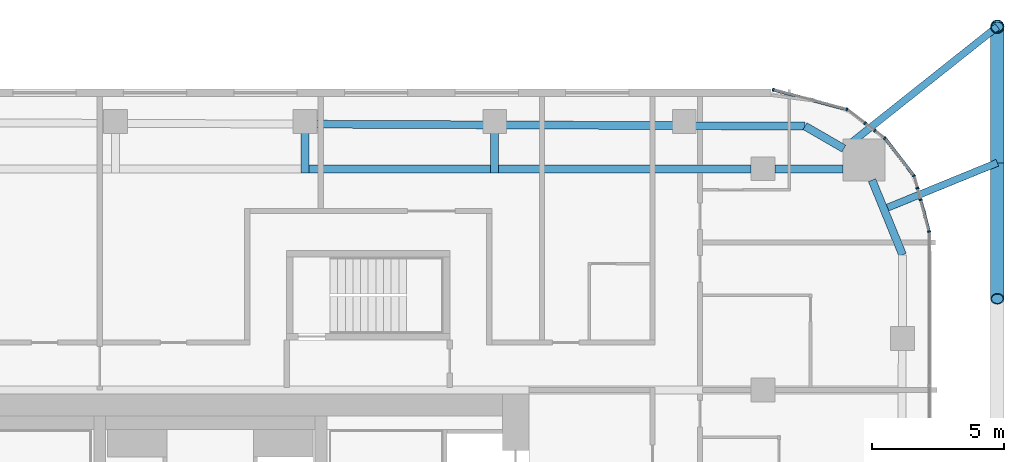
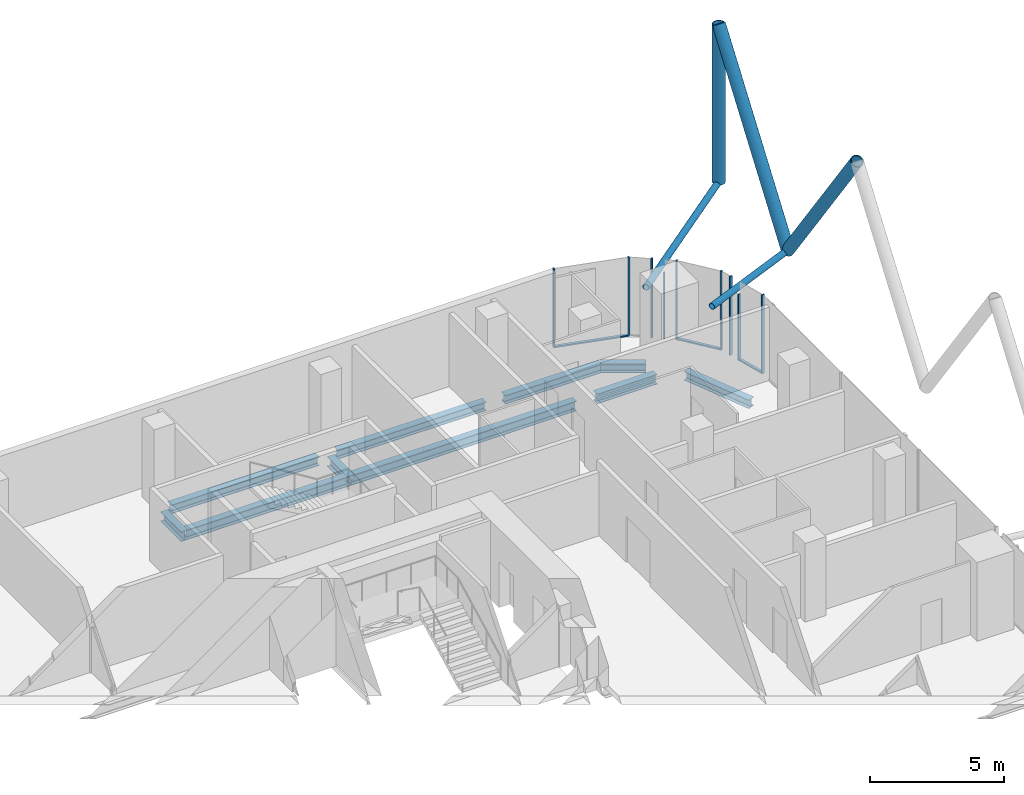
# One storey, part 14 of 36: 17 members, 10 beams, 8 elements without a shape of their own.
"""IFC4 building model written with IfcOpenShell, lengths in metres."""

from ifc_helpers import new_model, si_unit, direction, frame, origin, origin_2d, place, context, subcontext, project, spatial, rectangle, hollow_circle, i_section, extrude, material, layer, layer_set, material_profile, profile_set, type_object, element, aggregate, save


model = new_model("IFC4")

# Units and contexts
model_context = context("Model", 3, precision=1e-05, world=origin(), true_north=direction((0.0, 1.0)))
body_context = subcontext(model_context, "Body", "Model", "MODEL_VIEW")
ifc_project = project(units=[si_unit("LENGTHUNIT", "METRE"), si_unit("AREAUNIT", "SQUARE_METRE"), si_unit("VOLUMEUNIT", "CUBIC_METRE"), si_unit("PLANEANGLEUNIT", "RADIAN"), si_unit("MASSUNIT", "GRAM", prefix="KILO")], contexts=[model_context])

# Site, building, storey
site_placement = place(None, origin())
site = spatial("IfcSite", under=ifc_project, at=site_placement, CompositionType="ELEMENT")
building_placement = place(site_placement, origin())
building = spatial("IfcBuilding", under=site, at=building_placement, Name="Marenta Gate Hotel Tower", CompositionType="ELEMENT")
storey_placement = place(building_placement, frame((0.0, 0.0, 158.89990234375)))
storey = spatial("IfcBuildingStorey", under=building, at=storey_placement, Name="L37", CompositionType="ELEMENT", Elevation=158.89990234375)

# Members
ifc_material_1 = material(Name="Steel S355J2W", Category="steel")
ifc_material_profile_1 = material_profile(ifc_material_1, hollow_circle(Radius=0.25390625, WallThickness=0.02490234375, at=origin_2d()), Name="CHS 508x25")
ifc_profile_set_1 = profile_set([ifc_material_profile_1], Name="Steel S355J2W")
member_type_1 = type_object("IfcMemberType", Name="Diagrid corner post Z2 CHS 508x25", PredefinedType="POST", material=ifc_profile_set_1)
member_1_placement = place(storey_placement, frame((29.89990234375, 30.60009765625, 3.14013671875), z_axis=(0.0, 0.0, 1.0), x_axis=(1.0, 0.0, 0.0)))
element("IfcMember", 1, at=member_1_placement, inside=storey, type_object=member_type_1, Name="L37-DR-1", PredefinedType="POST", context=body_context, shape_type="SweptSolid", body=[
    extrude(hollow_circle(Radius=0.25390625, WallThickness=0.02490234375, at=origin_2d()), origin(), (0.0, 0.0, 1.0), 7.199951171875),
])
ifc_material_2 = material(Name="Steel S355J2W", Category="steel")
ifc_material_profile_2 = material_profile(ifc_material_2, hollow_circle(Radius=0.25390625, WallThickness=0.0400390625, at=origin_2d()), Name="CHS 508x40")
ifc_profile_set_2 = profile_set([ifc_material_profile_2], Name="Steel S355J2W")
member_type_2 = type_object("IfcMemberType", Name="Diagrid diagonal Z2 CHS 508x40", PredefinedType="BRACE", material=ifc_profile_set_2)
member_2_placement = place(storey_placement, frame((29.89990234375, 25.429931640625, 3.14013671875), z_axis=(0.0, 0.583279014058, 0.812271870595), x_axis=(-1.0, 0.0, 0.0)))
element("IfcMember", 2, at=member_2_placement, inside=storey, type_object=member_type_2, Name="L37-DG-1", PredefinedType="BRACE", context=body_context, shape_type="SweptSolid", body=[
    extrude(hollow_circle(Radius=0.25390625, WallThickness=0.0400390625, at=origin_2d()), origin(), (0.0, 0.0, 1.0), 8.864013671875),
])
member_3_placement = place(storey_placement, frame((29.89990234375, 25.429931640625, 3.14013671875), z_axis=(0.0, -0.583260841117, 0.812284919975), x_axis=(1.0, 0.0, 0.0)))
element("IfcMember", 3, at=member_3_placement, inside=storey, type_object=member_type_2, Name="L37-DG-2", PredefinedType="BRACE", context=body_context, shape_type="SweptSolid", body=[
    extrude(hollow_circle(Radius=0.25390625, WallThickness=0.0400390625, at=origin_2d()), origin(), (0.0, 0.0, 1.0), 8.86376953125),
])

# Beams
ifc_material_3 = material(Name="Steel S355", Category="steel")
ifc_material_profile_3 = material_profile(ifc_material_3, i_section(OverallWidth=0.300048828125, OverallDepth=0.39990234375, WebThickness=0.013427734375, FlangeThickness=0.02392578125, FilletRadius=0.027099609375, at=origin_2d()), Name="HEB 400")
ifc_profile_set_3 = profile_set([ifc_material_profile_3], Name="Steel S355")
beam_type_1 = type_object("IfcBeamType", Name="Edge beam HEB 400", PredefinedType="SPANDREL", material=ifc_profile_set_3)
beam_1_placement = place(storey_placement, frame((4.011474609375, 26.89697265625, -0.4599609375), z_axis=(0.999991780119, -0.004054589324, 0.0), x_axis=(0.004054589324, 0.999991780119, 0.0)))
element("IfcBeam", 4, at=beam_1_placement, inside=storey, type_object=beam_type_1, Name="L37-EB-17", PredefinedType="SPANDREL", context=body_context, shape_type="SweptSolid", body=[
    extrude(i_section(OverallWidth=0.300048828125, OverallDepth=0.39990234375, WebThickness=0.013427734375, FlangeThickness=0.02392578125, FilletRadius=0.027099609375, at=origin_2d()), origin(), (0.0, 0.0, 1.0), 6.382568359375),
])
beam_2_placement = place(storey_placement, frame((11.214111328125, 26.86767578125, -0.4599609375), z_axis=(0.999991780748, -0.00405443424, 0.0), x_axis=(0.00405443424, 0.999991780748, 0.0)))
element("IfcBeam", 5, at=beam_2_placement, inside=storey, type_object=beam_type_1, Name="L37-EB-18", PredefinedType="SPANDREL", context=body_context, shape_type="SweptSolid", body=[
    extrude(i_section(OverallWidth=0.300048828125, OverallDepth=0.39990234375, WebThickness=0.013427734375, FlangeThickness=0.02392578125, FilletRadius=0.027099609375, at=origin_2d()), origin(), (0.0, 0.0, 1.0), 6.3828125),
])
beam_3_placement = place(storey_placement, frame((18.4169921875, 26.83837890625, -0.4599609375), z_axis=(0.999991621459, -0.004093532953, 0.0), x_axis=(0.004093532953, 0.999991621459, 0.0)))
element("IfcBeam", 6, at=beam_3_placement, inside=storey, type_object=beam_type_1, Name="L37-EB-19", PredefinedType="SPANDREL", context=body_context, shape_type="SweptSolid", body=[
    extrude(i_section(OverallWidth=0.300048828125, OverallDepth=0.39990234375, WebThickness=0.013427734375, FlangeThickness=0.02392578125, FilletRadius=0.027099609375, at=origin_2d()), origin(), (0.0, 0.0, 1.0), 4.1748046875),
])
beam_4_placement = place(storey_placement, frame((22.591796875, 26.8212890625, -0.4599609375), z_axis=(0.866016478054, -0.500015459501, 0.0), x_axis=(0.500015459501, 0.866016478054, 0.0)))
element("IfcBeam", 7, at=beam_4_placement, inside=storey, type_object=beam_type_1, Name="L37-EB-20", PredefinedType="SPANDREL", context=body_context, shape_type="SweptSolid", body=[
    extrude(i_section(OverallWidth=0.300048828125, OverallDepth=0.39990234375, WebThickness=0.013427734375, FlangeThickness=0.02392578125, FilletRadius=0.027099609375, at=origin_2d()), origin(), (0.0, 0.0, 1.0), 1.70703125),
])
beam_5_placement = place(storey_placement, frame((25.138916015625, 24.7724609375, -0.4599609375), z_axis=(0.378682450416, -0.925526661824, 0.0), x_axis=(0.925526661824, 0.378682450416, 0.0)))
element("IfcBeam", 8, at=beam_5_placement, inside=storey, type_object=beam_type_1, Name="L37-EB-21", PredefinedType="SPANDREL", context=body_context, shape_type="SweptSolid", body=[
    extrude(i_section(OverallWidth=0.300048828125, OverallDepth=0.39990234375, WebThickness=0.013427734375, FlangeThickness=0.02392578125, FilletRadius=0.027099609375, at=origin_2d()), origin(), (0.0, 0.0, 1.0), 3.066162109375),
])

# Members
ifc_material_4 = material(Name="Steel S355J2W", Category="steel")
ifc_material_profile_4 = material_profile(ifc_material_4, hollow_circle(Radius=0.136474609375, WallThickness=0.012451171875, at=origin_2d()), Name="CHS 273x12.5")
ifc_profile_set_4 = profile_set([ifc_material_profile_4], Name="Steel S355J2W")
member_type_3 = type_object("IfcMemberType", Name="Floor tie CHS 273x12.5", PredefinedType="STRUT", material=ifc_profile_set_4)
member_4_placement = place(storey_placement, frame((29.89990234375, 30.60009765625, 3.14013671875), z_axis=(-0.782942525187, -0.622094046149, 0.0), x_axis=(0.622094046149, -0.782942525187, 0.0)))
element("IfcMember", 9, at=member_4_placement, inside=storey, type_object=member_type_3, Name="L37-DR-7", PredefinedType="STRUT", context=body_context, shape_type="SweptSolid", body=[
    extrude(hollow_circle(Radius=0.136474609375, WallThickness=0.012451171875, at=origin_2d()), origin(), (0.0, 0.0, 1.0), 7.43896484375),
])
member_5_placement = place(storey_placement, frame((29.89990234375, 25.429931640625, 3.14013671875), z_axis=(-0.925554485394, -0.378614440516, 0.0), x_axis=(0.378614440516, -0.925554485394, 0.0)))
element("IfcMember", 10, at=member_5_placement, inside=storey, type_object=member_type_3, Name="L37-DR-8", PredefinedType="STRUT", context=body_context, shape_type="SweptSolid", body=[
    extrude(hollow_circle(Radius=0.136474609375, WallThickness=0.012451171875, at=origin_2d()), origin(), (0.0, 0.0, 1.0), 4.6484375),
])

# Beams
ifc_material_5 = material(Name="Steel S355", Category="steel")
ifc_material_profile_5 = material_profile(ifc_material_5, i_section(OverallWidth=0.300048828125, OverallDepth=0.449951171875, WebThickness=0.013916015625, FlangeThickness=0.02587890625, FilletRadius=0.027099609375, at=origin_2d()), Name="HEB 450")
ifc_profile_set_5 = profile_set([ifc_material_profile_5], Name="Steel S355")
beam_type_2 = type_object("IfcBeamType", Name="Girder HEB 450", PredefinedType="BEAM", material=ifc_profile_set_5)
beam_6_placement = place(storey_placement, frame((3.75146484375, 25.199951171875, -0.48486328125), z_axis=(1.0, 0.0, 0.0), x_axis=(0.0, 1.0, 0.0)))
element("IfcBeam", 11, at=beam_6_placement, inside=storey, type_object=beam_type_2, Name="L37-GD-33", PredefinedType="BEAM", context=body_context, shape_type="SweptSolid", body=[
    extrude(i_section(OverallWidth=0.300048828125, OverallDepth=0.449951171875, WebThickness=0.013916015625, FlangeThickness=0.02587890625, FilletRadius=0.027099609375, at=origin_2d()), origin(), (0.0, 0.0, 1.0), 6.902587890625),
])
beam_7_placement = place(storey_placement, frame((10.9541015625, 25.199951171875, -0.48486328125), z_axis=(1.0, 0.0, 0.0), x_axis=(0.0, 1.0, 0.0)))
element("IfcBeam", 12, at=beam_7_placement, inside=storey, type_object=beam_type_2, Name="L37-GD-34", PredefinedType="BEAM", context=body_context, shape_type="SweptSolid", body=[
    extrude(i_section(OverallWidth=0.300048828125, OverallDepth=0.449951171875, WebThickness=0.013916015625, FlangeThickness=0.02587890625, FilletRadius=0.027099609375, at=origin_2d()), origin(), (0.0, 0.0, 1.0), 9.595947265625),
])
beam_8_placement = place(storey_placement, frame((21.449951171875, 25.199951171875, -0.48486328125), z_axis=(1.0, 0.0, 0.0), x_axis=(0.0, 1.0, 0.0)))
element("IfcBeam", 13, at=beam_8_placement, inside=storey, type_object=beam_type_2, Name="L37-GD-35", PredefinedType="BEAM", context=body_context, shape_type="SweptSolid", body=[
    extrude(i_section(OverallWidth=0.300048828125, OverallDepth=0.449951171875, WebThickness=0.013916015625, FlangeThickness=0.02587890625, FilletRadius=0.027099609375, at=origin_2d()), origin(), (0.0, 0.0, 1.0), 2.58544921875),
])
ifc_material_6 = material(Name="Steel S355", Category="steel")
ifc_material_profile_6 = material_profile(ifc_material_6, i_section(OverallWidth=0.300048828125, OverallDepth=0.449951171875, WebThickness=0.013916015625, FlangeThickness=0.02587890625, FilletRadius=0.027099609375, at=origin_2d()), Name="HEB 450")
ifc_profile_set_6 = profile_set([ifc_material_profile_6], Name="Steel S355")
beam_type_3 = type_object("IfcBeamType", Name="Girder bracket HEB 450", PredefinedType="BEAM", material=ifc_profile_set_6)
for number, where, z_axis, x_axis, name in (
    (14, (3.601318359375, 25.050048828125, -0.48486328125), (0.0, 1.0, 0.0), (-1.0, 0.0, 0.0), "L37-GS-3"),
    (15, (10.80419921875, 25.050048828125, -0.48486328125), (0.0, 1.0, 0.0), (-1.0, 0.0, 0.0), "L37-GS-4"),
):
    element("IfcBeam", number, at=place(storey_placement, frame(where, z_axis=z_axis, x_axis=x_axis)), inside=storey, type_object=beam_type_3, Name=name, PredefinedType="BEAM", context=body_context, shape_type="SweptSolid", body=[
        extrude(i_section(OverallWidth=0.300048828125, OverallDepth=0.449951171875, WebThickness=0.013916015625, FlangeThickness=0.02587890625, FilletRadius=0.027099609375, at=origin_2d()), origin(), (0.0, 0.0, 1.0), 1.5400390625),
    ])

# Curtain wall, member
ifc_material_7 = material(Name="Tinted insulated glass in bronze anodised frame", Category="glass")
ifc_layer = layer(ifc_material_7, 0.1201171875)
ifc_layer_set = layer_set([ifc_layer], Name="Tinted insulated glass in bronze anodised frame")
curtain_wall_type = type_object("IfcCurtainWallType", Name="Tower unitised curtain wall CW1", PredefinedType="NOTDEFINED", material=ifc_layer_set)
curtain_wall_1_placement = place(storey_placement, origin())
curtain_wall_1 = element("IfcCurtainWall", 16, at=curtain_wall_1_placement, inside=storey, type_object=curtain_wall_type, Name="CW1 run G36", PredefinedType="NOTDEFINED")
ifc_material_8 = material(Name="Bronze anodised aluminium", Category="aluminium")
ifc_material_profile_7 = material_profile(ifc_material_8, rectangle(XDim=0.1201171875, YDim=0.06005859375, at=origin_2d()), Name="Mullion CW1 60x120 bronze anodised aluminium")
ifc_profile_set_7 = profile_set([ifc_material_profile_7], Name="Bronze anodised aluminium")
member_type_4 = type_object("IfcMemberType", Name="Mullion CW1 60x120 bronze anodised aluminium", PredefinedType="MULLION", material=ifc_profile_set_7)
member_6_placement = place(storey_placement, frame((27.30615234375, 22.82080078125, 0.0), z_axis=(0.0, 0.0, 1.0), x_axis=(-0.965926558196, -0.258816313572, 0.0)))
member_6 = element("IfcMember", 17, at=member_6_placement, type_object=member_type_4, Name="CW1 mullion 1", PredefinedType="MULLION", context=body_context, shape_type="SweptSolid", body=[
    extrude(rectangle(XDim=0.1201171875, YDim=0.06005859375, at=origin_2d()), origin(), (0.0, 0.0, 1.0), 3.60009765625),
])

curtain_wall_2_placement = place(storey_placement, origin())
curtain_wall_2 = element("IfcCurtainWall", 18, at=curtain_wall_2_placement, inside=storey, type_object=curtain_wall_type, Name="CW1 run G37", PredefinedType="NOTDEFINED")
member_7_placement = place(storey_placement, frame((26.983642578125, 24.0244140625, 0.0), z_axis=(0.0, 0.0, 1.0), x_axis=(-0.965921659399, -0.258834595648, 0.0)))
member_7 = element("IfcMember", 19, at=member_7_placement, type_object=member_type_4, Name="CW1 mullion 1", PredefinedType="MULLION", context=body_context, shape_type="SweptSolid", body=[
    extrude(rectangle(XDim=0.1201171875, YDim=0.06005859375, at=origin_2d()), origin(), (0.0, 0.0, 1.0), 3.00048828125),
])
aggregate(curtain_wall_2, [member_7])

curtain_wall_3_placement = place(storey_placement, origin())
curtain_wall_3 = element("IfcCurtainWall", 20, at=curtain_wall_3_placement, inside=storey, type_object=curtain_wall_type, Name="CW1 run G38", PredefinedType="NOTDEFINED")
member_8_placement = place(storey_placement, frame((26.865478515625, 24.465576171875, 0.0), z_axis=(0.0, 0.0, 1.0), x_axis=(-0.965923527755, -0.258827623196, 0.0)))
member_8 = element("IfcMember", 21, at=member_8_placement, type_object=member_type_4, Name="CW1 mullion 1", PredefinedType="MULLION", context=body_context, shape_type="SweptSolid", body=[
    extrude(rectangle(XDim=0.1201171875, YDim=0.06005859375, at=origin_2d()), origin(), (0.0, 0.0, 1.0), 3.60009765625),
])
aggregate(curtain_wall_3, [member_8])

curtain_wall_4_placement = place(storey_placement, origin())
curtain_wall_4 = element("IfcCurtainWall", 22, at=curtain_wall_4_placement, inside=storey, type_object=curtain_wall_type, Name="CW1 run G39", PredefinedType="NOTDEFINED")
member_9_placement = place(storey_placement, frame((26.727783203125, 24.93505859375, 0.0), z_axis=(0.0, 0.0, 1.0), x_axis=(-0.793326722289, -0.608796116694, 0.0)))
member_9 = element("IfcMember", 23, at=member_9_placement, type_object=member_type_4, Name="CW1 mullion 1", PredefinedType="MULLION", context=body_context, shape_type="SweptSolid", body=[
    extrude(rectangle(XDim=0.1201171875, YDim=0.06005859375, at=origin_2d()), origin(), (0.0, 0.0, 1.0), 3.60009765625),
])

curtain_wall_5_placement = place(storey_placement, origin())
curtain_wall_5 = element("IfcCurtainWall", 24, at=curtain_wall_5_placement, inside=storey, type_object=curtain_wall_type, Name="CW1 run G40", PredefinedType="NOTDEFINED")
member_10_placement = place(storey_placement, frame((25.62158203125, 26.36376953125, 0.0), z_axis=(0.0, 0.0, 1.0), x_axis=(-0.608778467767, -0.793340265701, 0.0)))
member_10 = element("IfcMember", 25, at=member_10_placement, type_object=member_type_4, Name="CW1 mullion 1", PredefinedType="MULLION", context=body_context, shape_type="SweptSolid", body=[
    extrude(rectangle(XDim=0.1201171875, YDim=0.06005859375, at=origin_2d()), origin(), (0.0, 0.0, 1.0), 3.60009765625),
])
aggregate(curtain_wall_5, [member_10])

curtain_wall_6_placement = place(storey_placement, origin())
curtain_wall_6 = element("IfcCurtainWall", 26, at=curtain_wall_6_placement, inside=storey, type_object=curtain_wall_type, Name="CW1 run G41", PredefinedType="NOTDEFINED")
member_11_placement = place(storey_placement, frame((25.247314453125, 26.651123046875, 0.0), z_axis=(0.0, 0.0, 1.0), x_axis=(-0.608737274752, -0.79337187392, 0.0)))
member_11 = element("IfcMember", 27, at=member_11_placement, type_object=member_type_4, Name="CW1 mullion 1", PredefinedType="MULLION", context=body_context, shape_type="SweptSolid", body=[
    extrude(rectangle(XDim=0.1201171875, YDim=0.06005859375, at=origin_2d()), origin(), (0.0, 0.0, 1.0), 3.00048828125),
])
aggregate(curtain_wall_6, [member_11])

curtain_wall_7_placement = place(storey_placement, origin())
curtain_wall_7 = element("IfcCurtainWall", 28, at=curtain_wall_7_placement, inside=storey, type_object=curtain_wall_type, Name="CW1 run G42", PredefinedType="NOTDEFINED")
member_12_placement = place(storey_placement, frame((24.876953125, 26.935302734375, 0.0), z_axis=(0.0, 0.0, 1.0), x_axis=(-0.608837310591, -0.793295108539, 0.0)))
member_12 = element("IfcMember", 29, at=member_12_placement, type_object=member_type_4, Name="CW1 mullion 1", PredefinedType="MULLION", context=body_context, shape_type="SweptSolid", body=[
    extrude(rectangle(XDim=0.1201171875, YDim=0.06005859375, at=origin_2d()), origin(), (0.0, 0.0, 1.0), 3.60009765625),
])
aggregate(curtain_wall_7, [member_12])

# Curtain wall, members
curtain_wall_8_placement = place(storey_placement, origin())
curtain_wall_8 = element("IfcCurtainWall", 30, at=curtain_wall_8_placement, inside=storey, type_object=curtain_wall_type, Name="CW1 run G43", PredefinedType="NOTDEFINED")
member_13_placement = place(storey_placement, frame((24.182373046875, 27.453857421875, 0.0), z_axis=(0.0, 0.0, 1.0), x_axis=(-0.258805989975, -0.965929324305, 0.0)))
member_13 = element("IfcMember", 31, at=member_13_placement, type_object=member_type_4, Name="CW1 mullion 1", PredefinedType="MULLION", context=body_context, shape_type="SweptSolid", body=[
    extrude(rectangle(XDim=0.1201171875, YDim=0.06005859375, at=origin_2d()), origin(), (0.0, 0.0, 1.0), 3.60009765625),
])
member_14_placement = place(storey_placement, frame((21.385498046875, 28.203125, 0.0), z_axis=(0.0, 0.0, 1.0), x_axis=(-0.258805989975, -0.965929324305, 0.0)))
member_14 = element("IfcMember", 32, at=member_14_placement, type_object=member_type_4, Name="CW1 mullion 2", PredefinedType="MULLION", context=body_context, shape_type="SweptSolid", body=[
    extrude(rectangle(XDim=0.1201171875, YDim=0.06005859375, at=origin_2d()), origin(), (0.0, 0.0, 1.0), 3.60009765625),
])

# Member
ifc_material_9 = material(Name="Bronze anodised aluminium", Category="aluminium")
ifc_material_profile_8 = material_profile(ifc_material_9, rectangle(XDim=0.1201171875, YDim=0.06005859375, at=origin_2d()), Name="Transom CW1 60x120 bronze anodised aluminium")
ifc_profile_set_8 = profile_set([ifc_material_profile_8], Name="Bronze anodised aluminium")
member_type_5 = type_object("IfcMemberType", Name="Transom CW1 60x120 bronze anodised aluminium", PredefinedType="USERDEFINED", material=ifc_profile_set_8)
member_15_placement = place(storey_placement, frame((27.298583984375, 22.849853515625, 0.030029296875), z_axis=(-0.2589178316, 0.965899351112, 0.0), x_axis=(-0.965899351112, -0.2589178316, 0.0)))
member_15 = element("IfcMember", 33, at=member_15_placement, type_object=member_type_5, Name="CW1 transom 1.1", ObjectType="TRANSOM", PredefinedType="USERDEFINED", context=body_context, shape_type="SweptSolid", body=[
    extrude(rectangle(XDim=0.1201171875, YDim=0.06005859375, at=origin_2d()), origin(), (0.0, 0.0, 1.0), 1.186279296875),
])

aggregate(curtain_wall_1, [member_6, member_15])

member_16_placement = place(storey_placement, frame((26.70947265625, 24.958984375, 0.030029296875), z_axis=(-0.608792205599, 0.793329723634, 0.0), x_axis=(-0.793329723634, -0.608792205599, 0.0)))
member_16 = element("IfcMember", 34, at=member_16_placement, type_object=member_type_5, Name="CW1 transom 1.1", ObjectType="TRANSOM", PredefinedType="USERDEFINED", context=body_context, shape_type="SweptSolid", body=[
    extrude(rectangle(XDim=0.1201171875, YDim=0.06005859375, at=origin_2d()), origin(), (0.0, 0.0, 1.0), 1.74755859375),
])

aggregate(curtain_wall_4, [member_9, member_16])

member_17_placement = place(storey_placement, frame((24.1533203125, 27.461669921875, 0.030029296875), z_axis=(-0.965922684272, 0.258830770986, 0.0), x_axis=(-0.258830770986, -0.965922684272, 0.0)))
member_17 = element("IfcMember", 35, at=member_17_placement, type_object=member_type_5, Name="CW1 transom 1.1", ObjectType="TRANSOM", PredefinedType="USERDEFINED", context=body_context, shape_type="SweptSolid", body=[
    extrude(rectangle(XDim=0.1201171875, YDim=0.06005859375, at=origin_2d()), origin(), (0.0, 0.0, 1.0), 2.83544921875),
])

aggregate(curtain_wall_8, [member_13, member_14, member_17])

save(model, "model.ifc")
